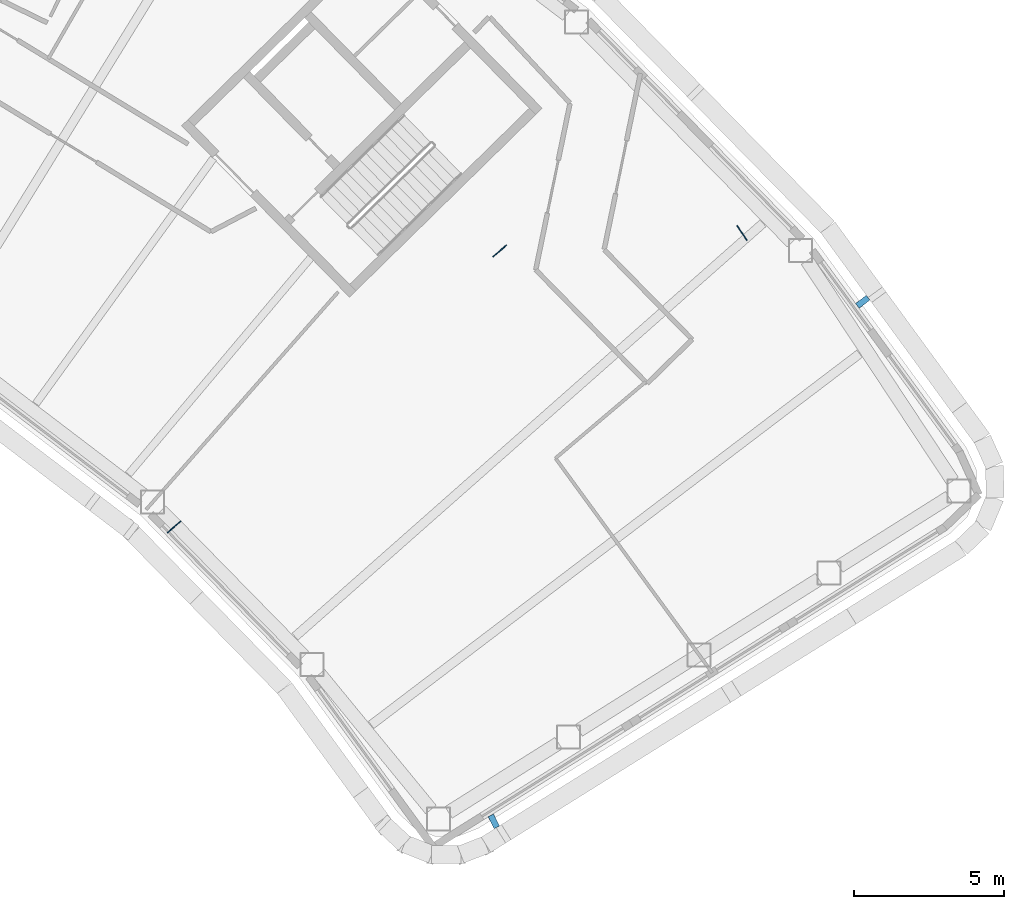
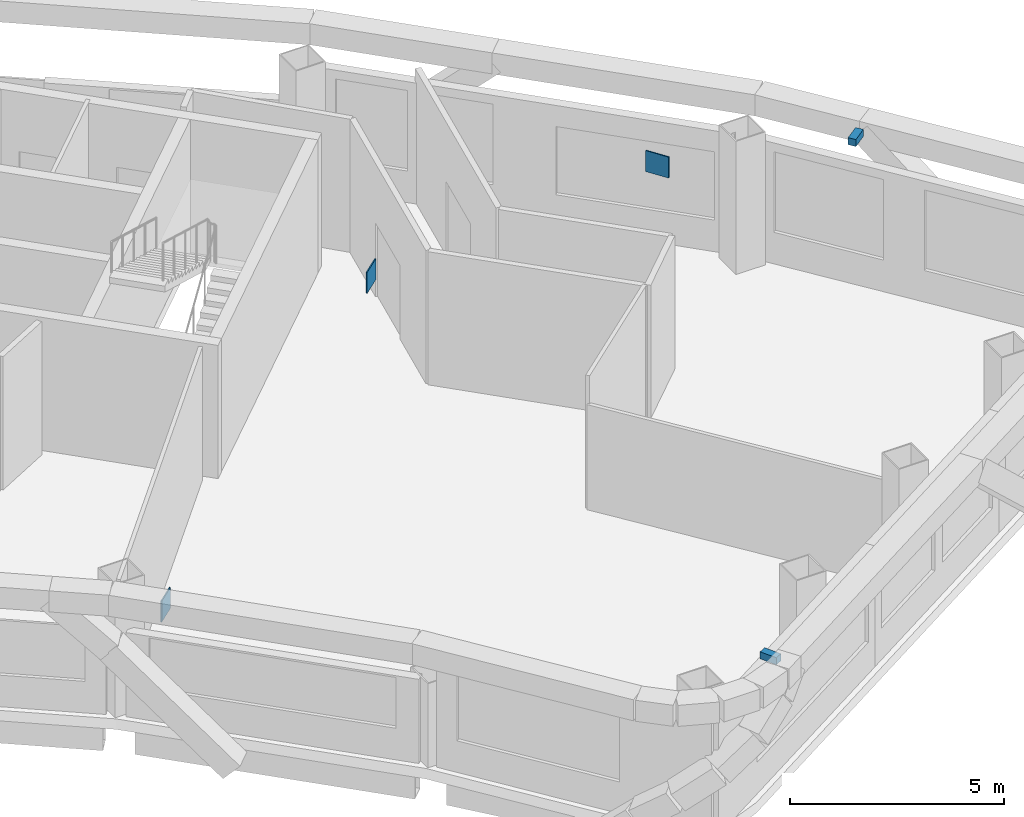
# One storey, part 16 of 21: 5 discrete accessories.
"""IFC4 building model written with IfcOpenShell, lengths in metres."""

from ifc_helpers import new_model, si_unit, direction, frame, origin, origin_2d, place, context, subcontext, project, spatial, rectangle, extrude, material, type_object, element, save


model = new_model("IFC4")

# Units and contexts
model_context = context("Model", 3, precision=1e-05, world=origin(), true_north=direction((0.0, 1.0)))
body_context = subcontext(model_context, "Body", "Model", "MODEL_VIEW")
ifc_project = project(units=[si_unit("LENGTHUNIT", "METRE"), si_unit("AREAUNIT", "SQUARE_METRE"), si_unit("VOLUMEUNIT", "CUBIC_METRE"), si_unit("PLANEANGLEUNIT", "RADIAN"), si_unit("MASSUNIT", "GRAM", prefix="KILO")], contexts=[model_context])

# Site, building, storey
site_placement = place(None, origin())
site = spatial("IfcSite", under=ifc_project, at=site_placement, CompositionType="ELEMENT")
building_placement = place(site_placement, origin())
building = spatial("IfcBuilding", under=site, at=building_placement, Name="Tuul Gate Civic Tower", CompositionType="ELEMENT")
storey_placement = place(building_placement, frame((0.0, 0.0, 311.0)))
storey = spatial("IfcBuildingStorey", under=building, at=storey_placement, Name="Level 70", CompositionType="ELEMENT", Elevation=311.0)

# Discrete accessories
ifc_material_1 = material(Name="Steel S355", Category="steel")
discrete_accessory_type_1 = type_object("IfcDiscreteAccessoryType", Name="Gusset plate", PredefinedType="BRACKET", material=ifc_material_1)
for number, where, z_axis, x_axis, name in (
    (1, (42.2724609375, -26.0966796875, 2.796630859375), (0.0, 0.0, 1.0), (0.76282474496, 0.646605295738, 0.0), "Gusset plate"),
    (2, (53.1337890625, -16.89111328125, 2.79736328125), (0.0, 0.0, 1.0), (0.76282474496, 0.646605295738, 0.0), "Gusset plate"),
    (3, (61.21337890625, -16.2939453125, 2.796630859375), (0.0, 0.0, 1.0), (0.551645433906, -0.834078722454, 0.0), "Gusset plate"),
):
    element("IfcDiscreteAccessory", number, at=place(storey_placement, frame(where, z_axis=z_axis, x_axis=x_axis)), inside=storey, type_object=discrete_accessory_type_1, Name=name, PredefinedType="BRACKET", context=body_context, shape_type="SweptSolid", body=[
        extrude(rectangle(XDim=0.60009765625, YDim=0.030029296875, at=origin_2d()), origin(), (0.0, 0.0, 1.0), 0.60009765625),
    ])
ifc_material_2 = material(Name="Stainless steel", Category="steel")
discrete_accessory_type_2 = type_object("IfcDiscreteAccessoryType", Name="Screen bracket", PredefinedType="BRACKET", material=ifc_material_2)
discrete_accessory_1_placement = place(storey_placement, frame((65.24072265625, -18.58837890625, 3.75), z_axis=(0.0, 0.0, 1.0), x_axis=(0.796468710921, 0.604679743769, 0.0)))
element("IfcDiscreteAccessory", 4, at=discrete_accessory_1_placement, inside=storey, type_object=discrete_accessory_type_2, Name="Screen bracket 2", PredefinedType="BRACKET", context=body_context, shape_type="SweptSolid", body=[
    extrude(rectangle(XDim=0.4501953125, YDim=0.199951171875, at=origin_2d()), origin(), (0.0, 0.0, 1.0), 0.199951171875),
])
discrete_accessory_2_placement = place(storey_placement, frame((52.93359375, -35.920166015625, 3.75), z_axis=(0.0, 0.0, 1.0), x_axis=(0.453848979937, -0.891078617974, 0.0)))
element("IfcDiscreteAccessory", 5, at=discrete_accessory_2_placement, inside=storey, type_object=discrete_accessory_type_2, Name="Screen bracket 32", PredefinedType="BRACKET", context=body_context, shape_type="SweptSolid", body=[
    extrude(rectangle(XDim=0.45166015625, YDim=0.199951171875, at=origin_2d()), origin(), (0.0, 0.0, 1.0), 0.199951171875),
])

save(model, "model.ifc")
